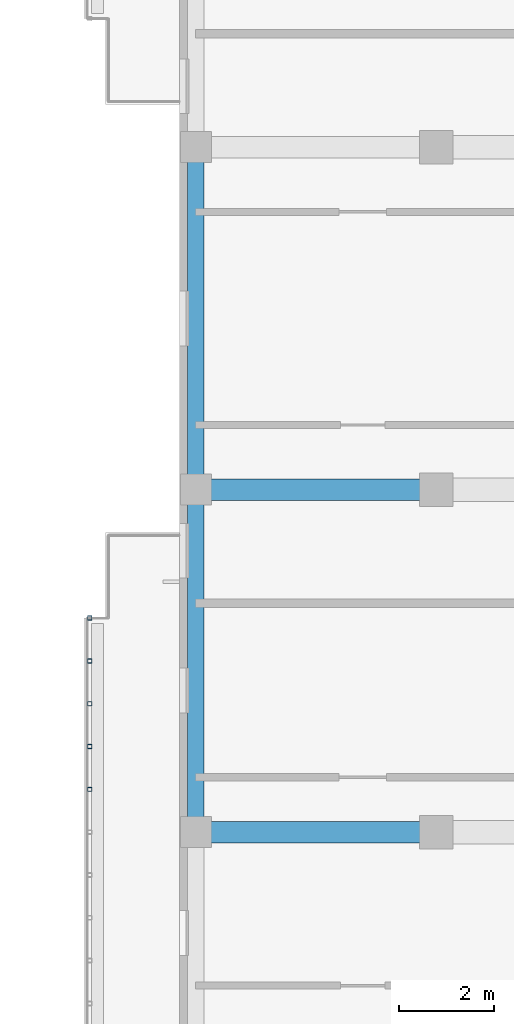
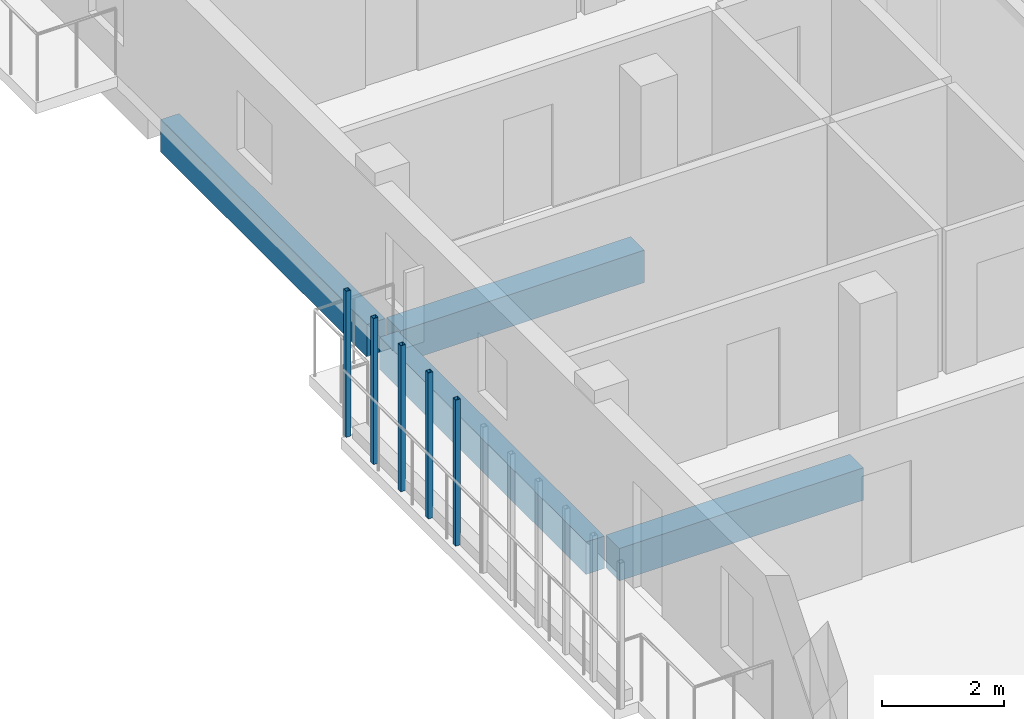
# One storey, part 18 of 56: 5 members, 4 beams.
"""IFC4 building model written with IfcOpenShell, lengths in metres."""

import ifcopenshell
import ifcopenshell.guid

model = None  # the IFC model being written
_history = None  # IfcOwnerHistory: only IFC2X3 demands one
_inside = {}  # id of a spatial element -> (the spatial element, [elements in it])
_under = {}  # id of a project, library or spatial element -> (it, [spatial elements below it])
_declared = {}  # id of a project -> (the project, [libraries it declares])
_typed = {}  # id of a type object -> (the type object, [elements of that type])
_made_of = {}  # id of a material, layer set ... -> (it, [elements and type objects made of it])


def new_model(schema):
    """Start an empty IFC model of exactly this schema.

    Asked for "IFC4X3", IfcOpenShell would pick the latest addendum, in which some entities
    have other attributes; the version numbers below select the first issue.
    IFC2X3 requires an IfcOwnerHistory on every rooted entity: one is made here for all.
    """
    global model, _history
    if schema == "IFC4X3":
        model = ifcopenshell.file(schema_version=(4, 3, 0, 0))
    else:
        model = ifcopenshell.file(schema=schema)
    _inside.clear()
    _under.clear()
    _declared.clear()
    _typed.clear()
    _made_of.clear()
    _history = None
    if model.schema == "IFC2X3":
        org = make("IfcOrganization", Name="unknown")
        user = make(
            "IfcPersonAndOrganization",
            ThePerson=make("IfcPerson", FamilyName="unknown"),
            TheOrganization=org,
        )
        app = make(
            "IfcApplication",
            ApplicationDeveloper=org,
            Version="unknown",
            ApplicationFullName="unknown",
            ApplicationIdentifier="unknown",
        )
        _history = make(
            "IfcOwnerHistory",
            OwningUser=user,
            OwningApplication=app,
            ChangeAction="ADDED",
            CreationDate=0,
        )
    return model


def make(cls, **values):
    """One entity of the class cls with the attributes given. An attribute that is None is left unset."""
    return model.create_entity(
        cls, **{name: value for name, value in values.items() if value is not None}
    )


def rooted(cls, **values):
    """An entity with a GlobalId (a new one), such as an element, a storey or a relation."""
    return make(cls, GlobalId=ifcopenshell.guid.new(), OwnerHistory=_history, **values)


def si_unit(unit_type, name, prefix=None):
    """IfcSIUnit, for example si_unit("LENGTHUNIT", "METRE", prefix="MILLI")."""
    return make("IfcSIUnit", UnitType=unit_type, Prefix=prefix, Name=name)


def derived_unit(unit_type, elements):
    """IfcDerivedUnit: a product of units, each with its exponent."""
    return make(
        "IfcDerivedUnit",
        Elements=[
            make("IfcDerivedUnitElement", Unit=unit, Exponent=power)
            for unit, power in elements
        ],
        UnitType=unit_type,
    )


def assignment(units):
    """IfcUnitAssignment: the units of a project."""
    return None if units is None else make("IfcUnitAssignment", Units=units)


def point(xyz):
    """IfcCartesianPoint."""
    return None if xyz is None else make("IfcCartesianPoint", Coordinates=xyz)


def direction(xyz):
    """IfcDirection."""
    return None if xyz is None else make("IfcDirection", DirectionRatios=xyz)


def frame(location, z_axis=None, x_axis=None):
    """IfcAxis2Placement3D, a coordinate frame: its origin and axes. An axis left out is left unset."""
    return make(
        "IfcAxis2Placement3D",
        Location=point(location),
        Axis=direction(z_axis),
        RefDirection=direction(x_axis),
    )


def frame_2d(location, x_axis=None):
    """IfcAxis2Placement2D, a coordinate frame in the plane: its origin and x axis."""
    return make(
        "IfcAxis2Placement2D", Location=point(location), RefDirection=direction(x_axis)
    )


def origin():
    """The frame at (0, 0, 0) with its axes left unset."""
    return frame((0.0, 0.0, 0.0))


def origin_2d():
    """The frame at (0, 0) in the plane with its x axis left unset."""
    return frame_2d((0.0, 0.0))


def place(relative_to, where):
    """IfcLocalPlacement: puts the frame where relative to a parent placement (None: the world)."""
    return make(
        "IfcLocalPlacement", PlacementRelTo=relative_to, RelativePlacement=where
    )


def context(
    kind, dimensions, precision=None, world=None, true_north=None, identifier=None
):
    """IfcGeometricRepresentationContext, for example the 3D "Model" context."""
    return make(
        "IfcGeometricRepresentationContext",
        ContextIdentifier=identifier,
        ContextType=kind,
        CoordinateSpaceDimension=dimensions,
        Precision=precision,
        WorldCoordinateSystem=world,
        TrueNorth=true_north,
    )


def subcontext(parent, identifier, kind, view, scale=None):
    """IfcGeometricRepresentationSubContext, for example "Body" below "Model"."""
    return make(
        "IfcGeometricRepresentationSubContext",
        ContextIdentifier=identifier,
        ContextType=kind,
        ParentContext=parent,
        TargetScale=scale,
        TargetView=view,
    )


def project(units=None, contexts=None):
    """IfcProject with its units and contexts."""
    return rooted(
        "IfcProject",
        Name="project",
        RepresentationContexts=contexts,
        UnitsInContext=assignment(units),
    )


def spatial(cls, under=None, at=None, **own):
    """A site, building, storey or space (cls), placed at a placement, below another one or the project."""
    s = rooted(cls, ObjectPlacement=at, **own)
    if under is not None:
        _under.setdefault(under.id(), (under, []))[1].append(s)
    return s


def profile(cls, at=None, kind="AREA", **sizes):
    """A parametric profile (cls). Its sizes go by their IFC names, for example OverallWidth=200.0."""
    return make(cls, ProfileType=kind, Position=at, **sizes)


def rectangle(**sizes):
    """IfcRectangleProfileDef."""
    return profile("IfcRectangleProfileDef", **sizes)


def hollow_rectangle(**sizes):
    """IfcRectangleHollowProfileDef."""
    return profile("IfcRectangleHollowProfileDef", **sizes)


def extrude(swept, where, along, depth):
    """IfcExtrudedAreaSolid: the profile swept, set in the frame where, extruded along a direction by depth."""
    return make(
        "IfcExtrudedAreaSolid",
        SweptArea=swept,
        Position=where,
        ExtrudedDirection=direction(along),
        Depth=depth,
    )


def shape(context_of_items, identifier, shape_type, items):
    """IfcShapeRepresentation: the items that make up one representation, for example the "Body"."""
    return make(
        "IfcShapeRepresentation",
        ContextOfItems=context_of_items,
        RepresentationIdentifier=identifier,
        RepresentationType=shape_type,
        Items=items,
    )


def material(Name=None, Category=None):
    """IfcMaterial."""
    return make("IfcMaterial", Name=Name, Category=Category)


def material_profile(
    of_material, cross_section, Name=None, Category=None, Priority=None
):
    """IfcMaterialProfile: a cross section and its material."""
    return make(
        "IfcMaterialProfile",
        Name=Name,
        Material=of_material,
        Profile=cross_section,
        Priority=Priority,
        Category=Category,
    )


def profile_set(profiles, Name=None, composite=None):
    """IfcMaterialProfileSet."""
    return make(
        "IfcMaterialProfileSet",
        Name=Name,
        MaterialProfiles=profiles,
        CompositeProfile=composite,
    )


def made_of(thing, what):
    """Note that an element or type object is made of a material, layer set ...; save() writes the relation."""
    if what is not None:
        _made_of.setdefault(what.id(), (what, []))[1].append(thing)
    return thing


def type_object(cls, material=None, **own):
    """A type object (cls), such as IfcWallType, which elements share."""
    return made_of(rooted(cls, **own), material)


def element(
    cls,
    number,
    at=None,
    inside=None,
    cuts=None,
    type_object=None,
    material=None,
    context=None,
    identifier="Body",
    shape_type=None,
    held_by="IfcProductDefinitionShape",
    body=None,
    shapes=None,
    **own,
):
    """One element of the class cls, such as IfcWall. Its Tag is "e" and its number.

    at: its placement. inside: the storey or other place that contains it. cuts: it is an
    opening in that element (IfcRelVoidsElement). A single representation is given by context,
    identifier, shape_type and body (its items); several are given by shapes. held_by: the class
    of the entity that holds the representations. save() writes the other relations.
    """
    e = rooted(cls, Tag="e%d" % number, ObjectPlacement=at, **own)
    if body is not None:
        shapes = [shape(context, identifier, shape_type, body)]
    if shapes is not None:
        e.Representation = make(held_by, Representations=shapes)
    if inside is not None:
        _inside.setdefault(inside.id(), (inside, []))[1].append(e)
    if cuts is not None:
        rooted(
            "IfcRelVoidsElement", RelatingBuildingElement=cuts, RelatedOpeningElement=e
        )
    if type_object is not None:
        _typed.setdefault(type_object.id(), (type_object, []))[1].append(e)
    return made_of(e, material)


def aggregate(whole, parts):
    """IfcRelAggregates: a whole, such as a stair, and the parts it consists of."""
    return rooted("IfcRelAggregates", RelatingObject=whole, RelatedObjects=parts)


def save(model, path):
    """Write the relations noted so far, then the file.

    IfcRelAggregates (storeys below a building ...), IfcRelContainedInSpatialStructure (elements
    in a storey), IfcRelDefinesByType, IfcRelAssociatesMaterial and IfcRelDeclares: one each for
    every whole, place, type object, material and project.
    """
    for whole, parts in _under.values():
        aggregate(whole, parts)
    for where, things in _inside.values():
        rooted(
            "IfcRelContainedInSpatialStructure",
            RelatedElements=things,
            RelatingStructure=where,
        )
    for kind, things in _typed.values():
        rooted("IfcRelDefinesByType", RelatedObjects=things, RelatingType=kind)
    for what, things in _made_of.values():
        rooted("IfcRelAssociatesMaterial", RelatedObjects=things, RelatingMaterial=what)
    for by, libraries in _declared.values():
        rooted("IfcRelDeclares", RelatingContext=by, RelatedDefinitions=libraries)
    model.write(path)


model = new_model("IFC4")

# Units and contexts
model_context = context("Model", 3, precision=1e-05, world=origin(), true_north=direction((0.0, 1.0)))
body_context = subcontext(model_context, "Body", "Model", "MODEL_VIEW")
ifc_project = project(units=[si_unit("LENGTHUNIT", "METRE"), si_unit("AREAUNIT", "SQUARE_METRE"), si_unit("VOLUMEUNIT", "CUBIC_METRE"), si_unit("PLANEANGLEUNIT", "RADIAN"), si_unit("MASSUNIT", "GRAM", prefix="KILO"), derived_unit("THERMALTRANSMITTANCEUNIT", [(si_unit("MASSUNIT", "GRAM", prefix="KILO"), 1), (si_unit("TIMEUNIT", "SECOND"), -3), (si_unit("THERMODYNAMICTEMPERATUREUNIT", "KELVIN"), -1)])], contexts=[model_context])

# Site, building, storey
site_placement = place(None, origin())
site = spatial("IfcSite", under=ifc_project, at=site_placement, CompositionType="ELEMENT")
building_placement = place(site_placement, origin())
building = spatial("IfcBuilding", under=site, at=building_placement, Name="Ochrekiln Boulevard Commons", CompositionType="ELEMENT")
storey_placement = place(building_placement, frame((0.0, 0.0, 12.074951171875)))
storey = spatial("IfcBuildingStorey", under=building, at=storey_placement, Name="L03", CompositionType="ELEMENT", Elevation=12.074951171875)

# Beams
ifc_material_1 = material(Name="Concrete C35/45", Category="concrete")
ifc_material_profile_1 = material_profile(ifc_material_1, rectangle(XDim=0.449951171875, YDim=0.64990234375, at=origin_2d()), Name="RC-BM-450x650")
ifc_profile_set_1 = profile_set([ifc_material_profile_1], Name="Concrete C35/45")
beam_type_1 = type_object("IfcBeamType", Name="BM-RC-450x650", PredefinedType="BEAM", material=ifc_profile_set_1)
for number, where, z_axis, x_axis, name in (
    (1, (151.760009765625, 82.800048828125, -0.5849609375), (1.0, 0.0, 0.0), (0.0, 1.0, 0.0), "Block B L03 Beam B-4565 X6"),
    (2, (151.760009765625, 90.0, -0.5849609375), (1.0, 0.0, 0.0), (0.0, 1.0, 0.0), "Block B L03 Beam B-4565 X9"),
):
    element("IfcBeam", number, at=place(storey_placement, frame(where, z_axis=z_axis, x_axis=x_axis)), inside=storey, type_object=beam_type_1, Name=name, PredefinedType="BEAM", context=body_context, shape_type="SweptSolid", body=[
        extrude(rectangle(XDim=0.449951171875, YDim=0.64990234375, at=origin_2d()), origin(), (0.0, 0.0, 1.0), 4.6298828125),
    ])

# Members
ifc_material_2 = material(Name="Steel A500 Grade C", Category="steel")
ifc_material_profile_2 = material_profile(ifc_material_2, hollow_rectangle(XDim=0.090087890625, YDim=0.090087890625, WallThickness=0.00634765625, at=origin_2d()), Name="HSS90X90X6.4")
ifc_profile_set_2 = profile_set([ifc_material_profile_2], Name="Steel A500 Grade C")
member_type = type_object("IfcMemberType", Name="MEM-PST-HSS90", PredefinedType="POST", material=ifc_profile_set_2)
for number, where, z_axis, x_axis, name in (
    (3, (149.320068359375, 83.699951171875, 0.0), (0.0, 0.0, 1.0), (1.0, 0.0, 0.0), "Block B L03 Slim Vertical Balcony Post (205)"),
    (4, (149.320068359375, 84.60009765625, 0.0), (0.0, 0.0, 1.0), (1.0, 0.0, 0.0), "Block B L03 Slim Vertical Balcony Post (206)"),
    (5, (149.320068359375, 85.5, 0.0), (0.0, 0.0, 1.0), (1.0, 0.0, 0.0), "Block B L03 Slim Vertical Balcony Post (207)"),
    (6, (149.320068359375, 86.39990234375, 0.0), (0.0, 0.0, 1.0), (1.0, 0.0, 0.0), "Block B L03 Slim Vertical Balcony Post (208)"),
    (7, (149.320068359375, 87.300048828125, 0.0), (0.0, 0.0, 1.0), (1.0, 0.0, 0.0), "Block B L03 Slim Vertical Balcony Post (209)"),
):
    element("IfcMember", number, at=place(storey_placement, frame(where, z_axis=z_axis, x_axis=x_axis)), inside=storey, type_object=member_type, Name=name, PredefinedType="POST", context=body_context, shape_type="SweptSolid", body=[
        extrude(hollow_rectangle(XDim=0.090087890625, YDim=0.090087890625, WallThickness=0.00634765625, at=origin_2d()), origin(), (0.0, 0.0, 1.0), 2.929931640625),
    ])

# Beams
ifc_material_3 = material(Name="Concrete C40/50", Category="concrete")
ifc_material_profile_3 = material_profile(ifc_material_3, rectangle(XDim=0.35009765625, YDim=0.64990234375, at=origin_2d()), Name="RC-SPN-350x650")
ifc_profile_set_3 = profile_set([ifc_material_profile_3], Name="Concrete C40/50")
beam_type_2 = type_object("IfcBeamType", Name="SPN-RC-350x650", PredefinedType="SPANDREL", material=ifc_profile_set_3)
for number, where, z_axis, x_axis, name in (
    (8, (151.550048828125, 83.010009765625, -0.5849609375), (0.0, 1.0, 0.0), (-1.0, 0.0, 0.0), "Block B L03 Beam SP-3565 Y25"),
    (9, (151.550048828125, 90.2099609375, -0.5849609375), (0.0, 1.0, 0.0), (-1.0, 0.0, 0.0), "Block B L03 Beam SP-3565 Y26"),
):
    element("IfcBeam", number, at=place(storey_placement, frame(where, z_axis=z_axis, x_axis=x_axis)), inside=storey, type_object=beam_type_2, Name=name, PredefinedType="SPANDREL", context=body_context, shape_type="SweptSolid", body=[
        extrude(rectangle(XDim=0.35009765625, YDim=0.64990234375, at=origin_2d()), origin(), (0.0, 0.0, 1.0), 6.780029296875),
    ])

save(model, "model.ifc")
